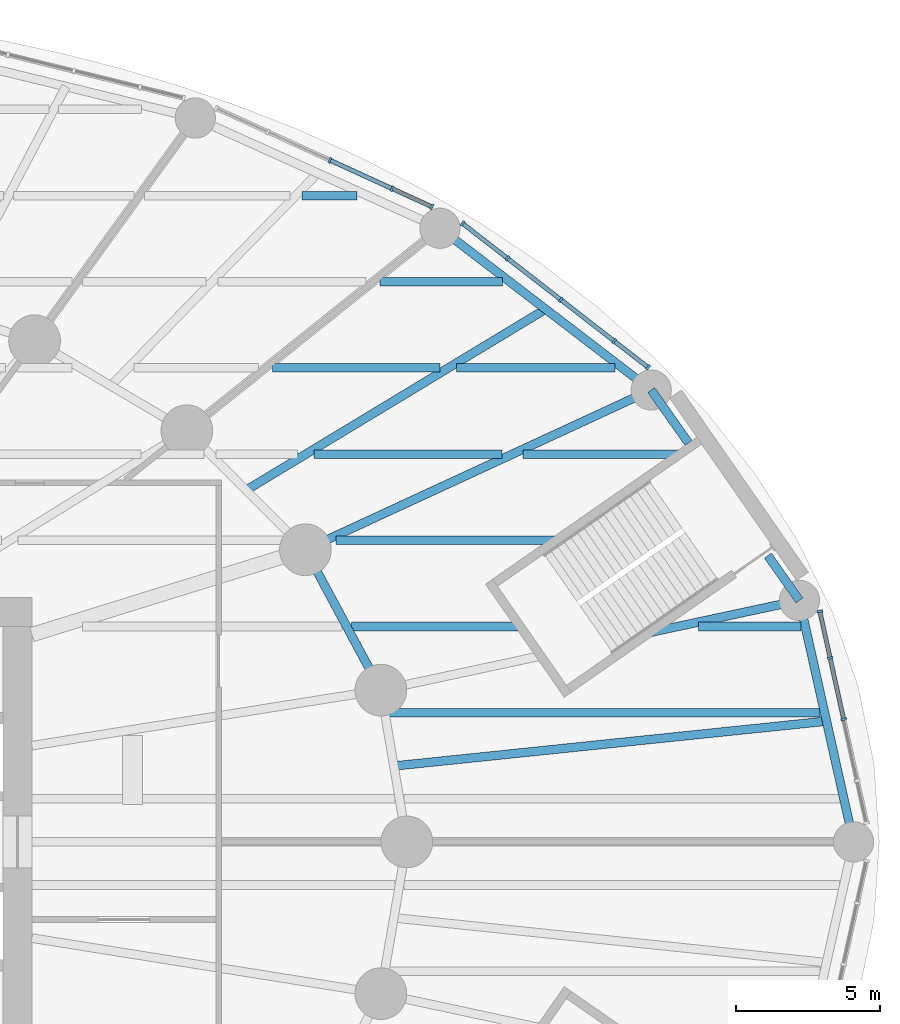
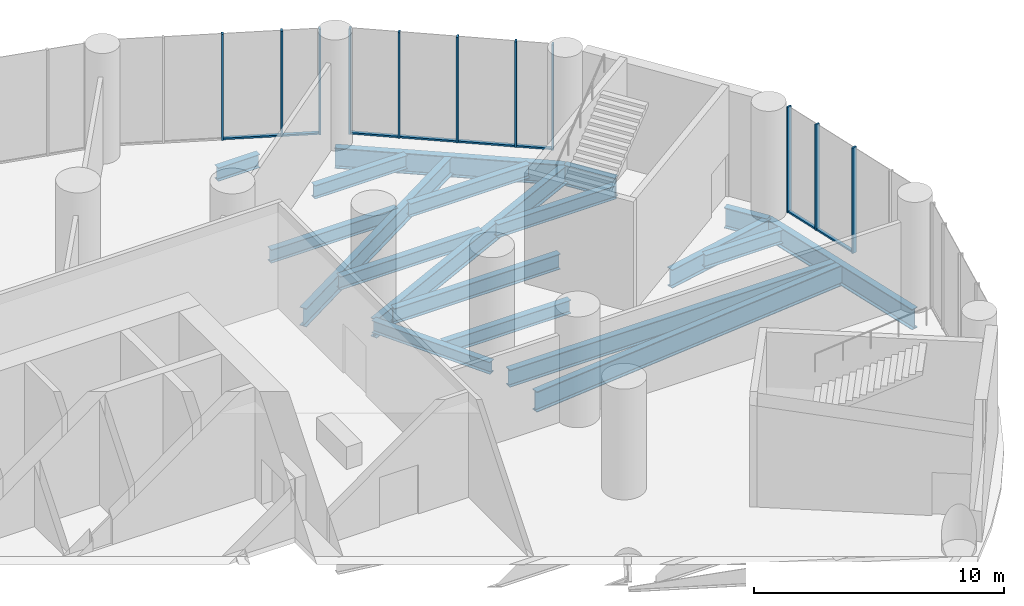
# One storey, part 12 of 23: 19 beams, 19 members, 3 elements without a shape of their own.
"""IFC4 building model written with IfcOpenShell, lengths in metres."""

from ifc_helpers import new_model, si_unit, direction, frame, origin, origin_2d, place, context, subcontext, project, spatial, rectangle, i_section, extrude, material, material_profile, profile_set, type_object, element, aggregate, save


model = new_model("IFC4")

# Units and contexts
model_context = context("Model", 3, precision=1e-05, world=origin(), true_north=direction((0.0, 1.0)))
body_context = subcontext(model_context, "Body", "Model", "MODEL_VIEW")
ifc_project = project(units=[si_unit("LENGTHUNIT", "METRE"), si_unit("AREAUNIT", "SQUARE_METRE"), si_unit("VOLUMEUNIT", "CUBIC_METRE"), si_unit("PLANEANGLEUNIT", "RADIAN"), si_unit("MASSUNIT", "GRAM", prefix="KILO")], contexts=[model_context])

# Site, building, storey
site_placement = place(None, origin())
site = spatial("IfcSite", under=ifc_project, at=site_placement, CompositionType="ELEMENT")
building_placement = place(site_placement, origin())
building = spatial("IfcBuilding", under=site, at=building_placement, Name="Hankou Lantern Tower", CompositionType="ELEMENT")
storey_placement = place(building_placement, frame((0.0, 0.0, 19.199951171875)))
storey = spatial("IfcBuildingStorey", under=building, at=storey_placement, Name="L03", CompositionType="ELEMENT", Elevation=19.199951171875)

# Beam
ifc_material_1 = material(Name="Steel Q355B", Category="steel")
ifc_material_profile_1 = material_profile(ifc_material_1, i_section(OverallWidth=0.300048828125, OverallDepth=0.587890625, WebThickness=0.011962890625, FlangeThickness=0.02001953125, FilletRadius=0.01806640625, at=origin_2d()), Name="HM588x300x12x20")
ifc_profile_set_1 = profile_set([ifc_material_profile_1], Name="Steel Q355B")
beam_type_1 = type_object("IfcBeamType", Name="EB16 RING BEAM HM588x300x12x20", PredefinedType="SPANDREL", material=ifc_profile_set_1)
beam_1_placement = place(storey_placement, frame((24.64697265625, 5.283203125, -0.5439453125), z_axis=(-0.473609096023, 0.880735161194, 0.0), x_axis=(-0.880735161194, -0.473609096023, 0.0)))
element("IfcBeam", 1, at=beam_1_placement, inside=storey, type_object=beam_type_1, Name="Ring beam R02-R03 L03", PredefinedType="SPANDREL", context=body_context, shape_type="SweptSolid", body=[
    extrude(i_section(OverallWidth=0.300048828125, OverallDepth=0.587890625, WebThickness=0.011962890625, FlangeThickness=0.02001953125, FilletRadius=0.01806640625, at=origin_2d()), origin(), (0.0, 0.0, 1.0), 5.548828125),
])

# Curtain wall, members
ifc_material_2 = material(Name="Glass, dark grey tinted laminated", Category="glass")
curtain_wall_type = type_object("IfcCurtainWallType", Name="CWP PODIUM CURTAIN WALL", PredefinedType="USERDEFINED", material=ifc_material_2)
curtain_wall_1_placement = place(storey_placement, origin())
curtain_wall_1 = element("IfcCurtainWall", 2, at=curtain_wall_1_placement, inside=storey, type_object=curtain_wall_type, Name="CWP L03 PC01", ObjectType="PODIUM GLAZING", PredefinedType="USERDEFINED")
ifc_material_3 = material(Name="Aluminium, black anodised", Category="aluminium")
ifc_material_profile_2 = material_profile(ifc_material_3, rectangle(XDim=0.080078125, YDim=0.199951171875, at=origin_2d()), Name="MU2 80X200")
ifc_profile_set_2 = profile_set([ifc_material_profile_2], Name="Aluminium, black anodised")
member_type_1 = type_object("IfcMemberType", Name="MU2 PODIUM MULLION 80X200", PredefinedType="MULLION", material=ifc_profile_set_2)
member_1_placement = place(storey_placement, frame((33.945068359375, 16.520751953125, 0.0), z_axis=(0.0, 0.0, 1.0), x_axis=(-0.790129760642, 0.612939606608, 0.0)))
member_1 = element("IfcMember", 3, at=member_1_placement, type_object=member_type_1, Name="CWP mullion 1", PredefinedType="MULLION", context=body_context, shape_type="SweptSolid", body=[
    extrude(rectangle(XDim=0.080078125, YDim=0.199951171875, at=origin_2d()), origin(), (0.0, 0.0, 1.0), 5.150146484375),
])
member_2_placement = place(storey_placement, frame((32.76806640625, 17.433837890625, 0.0), z_axis=(0.0, 0.0, 1.0), x_axis=(-0.790129760642, 0.612939606608, 0.0)))
member_2 = element("IfcMember", 4, at=member_2_placement, type_object=member_type_1, Name="CWP mullion 2", PredefinedType="MULLION", context=body_context, shape_type="SweptSolid", body=[
    extrude(rectangle(XDim=0.080078125, YDim=0.199951171875, at=origin_2d()), origin(), (0.0, 0.0, 1.0), 5.150146484375),
])
member_3_placement = place(storey_placement, frame((30.91064453125, 18.874755859375, 0.0), z_axis=(0.0, 0.0, 1.0), x_axis=(-0.790129760642, 0.612939606608, 0.0)))
member_3 = element("IfcMember", 5, at=member_3_placement, type_object=member_type_1, Name="CWP mullion 3", PredefinedType="MULLION", context=body_context, shape_type="SweptSolid", body=[
    extrude(rectangle(XDim=0.080078125, YDim=0.199951171875, at=origin_2d()), origin(), (0.0, 0.0, 1.0), 5.150146484375),
])
member_4_placement = place(storey_placement, frame((29.05322265625, 20.315673828125, 0.0), z_axis=(0.0, 0.0, 1.0), x_axis=(-0.790129760642, 0.612939606608, 0.0)))
member_4 = element("IfcMember", 6, at=member_4_placement, type_object=member_type_1, Name="CWP mullion 4", PredefinedType="MULLION", context=body_context, shape_type="SweptSolid", body=[
    extrude(rectangle(XDim=0.080078125, YDim=0.199951171875, at=origin_2d()), origin(), (0.0, 0.0, 1.0), 5.150146484375),
])
member_5_placement = place(storey_placement, frame((27.487060546875, 21.530517578125, 0.0), z_axis=(0.0, 0.0, 1.0), x_axis=(-0.790129760642, 0.612939606608, 0.0)))
member_5 = element("IfcMember", 7, at=member_5_placement, type_object=member_type_1, Name="CWP mullion 5", PredefinedType="MULLION", context=body_context, shape_type="SweptSolid", body=[
    extrude(rectangle(XDim=0.080078125, YDim=0.199951171875, at=origin_2d()), origin(), (0.0, 0.0, 1.0), 5.150146484375),
])

curtain_wall_2_placement = place(storey_placement, origin())
curtain_wall_2 = element("IfcCurtainWall", 8, at=curtain_wall_2_placement, inside=storey, type_object=curtain_wall_type, Name="CWP L03 PC02", ObjectType="PODIUM GLAZING", PredefinedType="USERDEFINED")
member_6_placement = place(storey_placement, frame((26.421630859375, 22.10986328125, 0.0), z_axis=(0.0, 0.0, 1.0), x_axis=(-0.909669790944, 0.41533224224, 0.0)))
member_6 = element("IfcMember", 9, at=member_6_placement, type_object=member_type_1, Name="CWP mullion 1", PredefinedType="MULLION", context=body_context, shape_type="SweptSolid", body=[
    extrude(rectangle(XDim=0.080078125, YDim=0.199951171875, at=origin_2d()), origin(), (0.0, 0.0, 1.0), 5.150146484375),
])
member_7_placement = place(storey_placement, frame((25.034423828125, 22.743408203125, 0.0), z_axis=(0.0, 0.0, 1.0), x_axis=(-0.909669790944, 0.41533224224, 0.0)))
member_7 = element("IfcMember", 10, at=member_7_placement, type_object=member_type_1, Name="CWP mullion 2", PredefinedType="MULLION", context=body_context, shape_type="SweptSolid", body=[
    extrude(rectangle(XDim=0.080078125, YDim=0.199951171875, at=origin_2d()), origin(), (0.0, 0.0, 1.0), 5.150146484375),
])
member_8_placement = place(storey_placement, frame((22.873046875, 23.730224609375, 0.0), z_axis=(0.0, 0.0, 1.0), x_axis=(-0.909669790944, 0.41533224224, 0.0)))
member_8 = element("IfcMember", 11, at=member_8_placement, type_object=member_type_1, Name="CWP mullion 3", PredefinedType="MULLION", context=body_context, shape_type="SweptSolid", body=[
    extrude(rectangle(XDim=0.080078125, YDim=0.199951171875, at=origin_2d()), origin(), (0.0, 0.0, 1.0), 5.150146484375),
])

curtain_wall_3_placement = place(storey_placement, origin())
curtain_wall_3 = element("IfcCurtainWall", 12, at=curtain_wall_3_placement, inside=storey, type_object=curtain_wall_type, Name="CWP L03 PC20", ObjectType="PODIUM GLAZING", PredefinedType="USERDEFINED")
member_9_placement = place(storey_placement, frame((40.7568359375, 4.267333984375, 0.0), z_axis=(0.0, 0.0, 1.0), x_axis=(-0.215821488116, 0.976432837049, 0.0)))
member_9 = element("IfcMember", 13, at=member_9_placement, type_object=member_type_1, Name="CWP mullion 3", PredefinedType="MULLION", context=body_context, shape_type="SweptSolid", body=[
    extrude(rectangle(XDim=0.080078125, YDim=0.199951171875, at=origin_2d()), origin(), (0.0, 0.0, 1.0), 5.150146484375),
])
member_10_placement = place(storey_placement, frame((40.28515625, 6.40087890625, 0.0), z_axis=(0.0, 0.0, 1.0), x_axis=(-0.215821488116, 0.976432837049, 0.0)))
member_10 = element("IfcMember", 14, at=member_10_placement, type_object=member_type_1, Name="CWP mullion 4", PredefinedType="MULLION", context=body_context, shape_type="SweptSolid", body=[
    extrude(rectangle(XDim=0.080078125, YDim=0.199951171875, at=origin_2d()), origin(), (0.0, 0.0, 1.0), 5.150146484375),
])
member_11_placement = place(storey_placement, frame((39.925537109375, 8.028564453125, 0.0), z_axis=(0.0, 0.0, 1.0), x_axis=(-0.215821488116, 0.976432837049, 0.0)))
member_11 = element("IfcMember", 15, at=member_11_placement, type_object=member_type_1, Name="CWP mullion 5", PredefinedType="MULLION", context=body_context, shape_type="SweptSolid", body=[
    extrude(rectangle(XDim=0.080078125, YDim=0.199951171875, at=origin_2d()), origin(), (0.0, 0.0, 1.0), 5.150146484375),
])

# Beams
ifc_material_4 = material(Name="Steel Q355B", Category="steel")
ifc_material_profile_3 = material_profile(ifc_material_4, i_section(OverallWidth=0.300048828125, OverallDepth=0.89990234375, WebThickness=0.01611328125, FlangeThickness=0.028076171875, FilletRadius=0.01806640625, at=origin_2d()), Name="HN900x300x16x28")
ifc_profile_set_3 = profile_set([ifc_material_profile_3], Name="Steel Q355B")
beam_type_2 = type_object("IfcBeamType", Name="PB13 PODIUM RADIAL BEAM HN900x300x16x28", PredefinedType="BEAM", material=ifc_profile_set_3)
beam_2_placement = place(storey_placement, frame((34.01025390625, 7.29052734375, -0.699951171875), z_axis=(0.977788323488, 0.209594834028, 0.0), x_axis=(-0.209594834028, 0.977788323488, 0.0)))
element("IfcBeam", 16, at=beam_2_placement, inside=storey, type_object=beam_type_2, Name="Podium radial beam R02 L03 outer part", PredefinedType="BEAM", context=body_context, shape_type="SweptSolid", body=[
    extrude(i_section(OverallWidth=0.300048828125, OverallDepth=0.89990234375, WebThickness=0.01611328125, FlangeThickness=0.028076171875, FilletRadius=0.01806640625, at=origin_2d()), origin(), (0.0, 0.0, 1.0), 5.32568359375),
])
beam_3_placement = place(storey_placement, frame((22.01904296875, 10.170166015625, -0.699951171875), z_axis=(0.907840792808, 0.419315030633, 0.0), x_axis=(-0.419315030633, 0.907840792808, 0.0)))
element("IfcBeam", 17, at=beam_3_placement, inside=storey, type_object=beam_type_2, Name="Podium radial beam R03 L03", PredefinedType="BEAM", context=body_context, shape_type="SweptSolid", body=[
    extrude(i_section(OverallWidth=0.300048828125, OverallDepth=0.89990234375, WebThickness=0.01611328125, FlangeThickness=0.028076171875, FilletRadius=0.01806640625, at=origin_2d()), origin(), (0.0, 0.0, 1.0), 13.259765625),
])
ifc_material_5 = material(Name="Steel Q355B", Category="steel")
ifc_material_profile_4 = material_profile(ifc_material_5, i_section(OverallWidth=0.300048828125, OverallDepth=1.0, WebThickness=0.01904296875, FlangeThickness=0.035888671875, FilletRadius=0.01806640625, at=origin_2d()), Name="HN1000x300x19x36")
ifc_profile_set_4 = profile_set([ifc_material_profile_4], Name="Steel Q355B")
beam_type_3 = type_object("IfcBeamType", Name="PR22 PODIUM RING BEAM HN1000x300x19x36", PredefinedType="BEAM", material=ifc_profile_set_4)
beam_4_placement = place(storey_placement, frame((41.10009765625, 0.0, -0.75), z_axis=(-0.218523498172, 0.975831686689, 0.0), x_axis=(-0.975831686689, -0.218523498172, 0.0)))
element("IfcBeam", 18, at=beam_4_placement, inside=storey, type_object=beam_type_3, Name="Podium ring beam R01-R02 L03", PredefinedType="BEAM", context=body_context, shape_type="SweptSolid", body=[
    extrude(i_section(OverallWidth=0.300048828125, OverallDepth=1.0, WebThickness=0.01904296875, FlangeThickness=0.035888671875, FilletRadius=0.01806640625, at=origin_2d()), origin(), (0.0, 0.0, 1.0), 8.614990234375),
])
beam_5_placement = place(storey_placement, frame((39.217529296875, 8.40673828125, -0.75), z_axis=(-0.576019631526, 0.817435859317, 0.0), x_axis=(-0.817435859317, -0.576019631526, 0.0)))
element("IfcBeam", 19, at=beam_5_placement, inside=storey, type_object=beam_type_3, Name="Podium ring beam R02-R03 L03 west part", PredefinedType="BEAM", context=body_context, shape_type="SweptSolid", body=[
    extrude(i_section(OverallWidth=0.300048828125, OverallDepth=1.0, WebThickness=0.01904296875, FlangeThickness=0.035888671875, FilletRadius=0.01806640625, at=origin_2d()), origin(), (0.0, 0.0, 1.0), 1.9072265625),
])
beam_6_placement = place(storey_placement, frame((35.35400390625, 13.889404296875, -0.75), z_axis=(-0.576006222853, 0.817445307794, 0.0), x_axis=(-0.817445307794, -0.576006222853, 0.0)))
element("IfcBeam", 20, at=beam_6_placement, inside=storey, type_object=beam_type_3, Name="Podium ring beam R02-R03 L03 east part", PredefinedType="BEAM", context=body_context, shape_type="SweptSolid", body=[
    extrude(i_section(OverallWidth=0.300048828125, OverallDepth=1.0, WebThickness=0.01904296875, FlangeThickness=0.035888671875, FilletRadius=0.01806640625, at=origin_2d()), origin(), (0.0, 0.0, 1.0), 2.251953125),
])
beam_7_placement = place(storey_placement, frame((34.056884765625, 15.730224609375, -0.75), z_axis=(-0.793985875103, 0.607936205647, 0.0), x_axis=(-0.607936205647, -0.793985875103, 0.0)))
element("IfcBeam", 21, at=beam_7_placement, inside=storey, type_object=beam_type_3, Name="Podium ring beam R03-R04 L03", PredefinedType="BEAM", context=body_context, shape_type="SweptSolid", body=[
    extrude(i_section(OverallWidth=0.300048828125, OverallDepth=1.0, WebThickness=0.01904296875, FlangeThickness=0.035888671875, FilletRadius=0.01806640625, at=origin_2d()), origin(), (0.0, 0.0, 1.0), 9.262939453125),
])
ifc_material_6 = material(Name="Steel Q355B", Category="steel")
ifc_material_profile_5 = material_profile(ifc_material_6, i_section(OverallWidth=0.300048828125, OverallDepth=0.89990234375, WebThickness=0.01611328125, FlangeThickness=0.028076171875, FilletRadius=0.01806640625, at=origin_2d()), Name="HN900x300x16x28")
ifc_profile_set_5 = profile_set([ifc_material_profile_5], Name="Steel Q355B")
beam_type_4 = type_object("IfcBeamType", Name="PS13 PODIUM SECONDARY BEAM HN900x300x16x28", PredefinedType="JOIST", material=ifc_profile_set_5)
beam_8_placement = place(storey_placement, frame((19.955322265625, 12.24169921875, -0.699951171875), z_axis=(0.855685755165, 0.517495785884, 0.0), x_axis=(-0.517495785884, 0.855685755165, 0.0)))
element("IfcBeam", 22, at=beam_8_placement, inside=storey, type_object=beam_type_4, Name="Podium secondary beam bay R03 L03", PredefinedType="JOIST", context=body_context, shape_type="SweptSolid", body=[
    extrude(i_section(OverallWidth=0.300048828125, OverallDepth=0.89990234375, WebThickness=0.01611328125, FlangeThickness=0.028076171875, FilletRadius=0.01806640625, at=origin_2d()), origin(), (0.0, 0.0, 1.0), 12.18212890625),
])
ifc_material_7 = material(Name="Steel Q355B", Category="steel")
ifc_material_profile_6 = material_profile(ifc_material_7, i_section(OverallWidth=0.300048828125, OverallDepth=1.0, WebThickness=0.01904296875, FlangeThickness=0.035888671875, FilletRadius=0.01806640625, at=origin_2d()), Name="HN1000x300x19x36")
ifc_profile_set_6 = profile_set([ifc_material_profile_6], Name="Steel Q355B")
beam_type_5 = type_object("IfcBeamType", Name="PS22 PODIUM SECONDARY BEAM HN1000x300x19x36", PredefinedType="JOIST", material=ifc_profile_set_6)
beam_9_placement = place(storey_placement, frame((25.098388671875, 2.6416015625, -0.75), z_axis=(0.994666039581, 0.103147805132, 0.0), x_axis=(-0.103147805132, 0.994666039581, 0.0)))
element("IfcBeam", 23, at=beam_9_placement, inside=storey, type_object=beam_type_5, Name="Podium secondary beam bay R01 L03", PredefinedType="JOIST", context=body_context, shape_type="SweptSolid", body=[
    extrude(i_section(OverallWidth=0.300048828125, OverallDepth=1.0, WebThickness=0.01904296875, FlangeThickness=0.035888671875, FilletRadius=0.01806640625, at=origin_2d()), origin(), (0.0, 0.0, 1.0), 15.14111328125),
])
ifc_material_8 = material(Name="Steel Q355B", Category="steel")
ifc_material_profile_7 = material_profile(ifc_material_8, i_section(OverallWidth=0.300048828125, OverallDepth=0.75, WebThickness=0.012939453125, FlangeThickness=0.02392578125, FilletRadius=0.01806640625, at=origin_2d()), Name="HN750x300x13x24")
ifc_profile_set_7 = profile_set([ifc_material_profile_7], Name="Steel Q355B")
beam_type_6 = type_object("IfcBeamType", Name="SB10 SECONDARY BEAM HN750x300x13x24", PredefinedType="JOIST", material=ifc_profile_set_7)
beam_10_placement = place(storey_placement, frame((23.0908203125, 10.5, -0.625), z_axis=(1.0, 0.0, 0.0), x_axis=(0.0, 1.0, 0.0)))
element("IfcBeam", 24, at=beam_10_placement, inside=storey, type_object=beam_type_6, Name="Floor joist J110 L03", PredefinedType="JOIST", context=body_context, shape_type="SweptSolid", body=[
    extrude(i_section(OverallWidth=0.300048828125, OverallDepth=0.75, WebThickness=0.012939453125, FlangeThickness=0.02392578125, FilletRadius=0.01806640625, at=origin_2d()), origin(), (0.0, 0.0, 1.0), 7.653076171875),
])
ifc_material_9 = material(Name="Steel Q355B", Category="steel")
ifc_material_profile_8 = material_profile(ifc_material_9, i_section(OverallWidth=0.300048828125, OverallDepth=0.85009765625, WebThickness=0.01611328125, FlangeThickness=0.027099609375, FilletRadius=0.01806640625, at=origin_2d()), Name="HN850x300x16x27")
ifc_profile_set_8 = profile_set([ifc_material_profile_8], Name="Steel Q355B")
beam_type_7 = type_object("IfcBeamType", Name="SB12 SECONDARY BEAM HN850x300x16x27", PredefinedType="JOIST", material=ifc_profile_set_8)
beam_11_placement = place(storey_placement, frame((24.93310546875, 4.5, -0.675048828125), z_axis=(1.0, 0.0, 0.0), x_axis=(0.0, 1.0, 0.0)))
element("IfcBeam", 25, at=beam_11_placement, inside=storey, type_object=beam_type_7, Name="Floor joist J094 L03", PredefinedType="JOIST", context=body_context, shape_type="SweptSolid", body=[
    extrude(i_section(OverallWidth=0.300048828125, OverallDepth=0.85009765625, WebThickness=0.01611328125, FlangeThickness=0.027099609375, FilletRadius=0.01806640625, at=origin_2d()), origin(), (0.0, 0.0, 1.0), 15.005615234375),
])
ifc_material_10 = material(Name="Steel Q355B", Category="steel")
ifc_material_profile_9 = material_profile(ifc_material_10, i_section(OverallWidth=0.300048828125, OverallDepth=0.64990234375, WebThickness=0.010986328125, FlangeThickness=0.01708984375, FilletRadius=0.01806640625, at=origin_2d()), Name="HN650x300x11x17")
ifc_profile_set_9 = profile_set([ifc_material_profile_9], Name="Steel Q355B")
beam_type_8 = type_object("IfcBeamType", Name="SB8 SECONDARY BEAM HN650x300x11x17", PredefinedType="JOIST", material=ifc_profile_set_9)
beam_12_placement = place(storey_placement, frame((23.625244140625, 7.5, -0.574951171875), z_axis=(1.0, 0.0, 0.0), x_axis=(0.0, 1.0, 0.0)))
element("IfcBeam", 26, at=beam_12_placement, inside=storey, type_object=beam_type_8, Name="Floor joist J099 L03", PredefinedType="JOIST", context=body_context, shape_type="SweptSolid", body=[
    extrude(i_section(OverallWidth=0.300048828125, OverallDepth=0.64990234375, WebThickness=0.010986328125, FlangeThickness=0.01708984375, FilletRadius=0.01806640625, at=origin_2d()), origin(), (0.0, 0.0, 1.0), 5.87158203125),
])
beam_13_placement = place(storey_placement, frame((35.70361328125, 7.5, -0.574951171875), z_axis=(1.0, 0.0, 0.0), x_axis=(0.0, 1.0, 0.0)))
element("IfcBeam", 27, at=beam_13_placement, inside=storey, type_object=beam_type_8, Name="Floor joist J100 L03", PredefinedType="JOIST", context=body_context, shape_type="SweptSolid", body=[
    extrude(i_section(OverallWidth=0.300048828125, OverallDepth=0.64990234375, WebThickness=0.010986328125, FlangeThickness=0.01708984375, FilletRadius=0.01806640625, at=origin_2d()), origin(), (0.0, 0.0, 1.0), 3.563232421875),
])
beam_14_placement = place(storey_placement, frame((22.32568359375, 13.5, -0.574951171875), z_axis=(1.0, 0.0, 0.0), x_axis=(0.0, 1.0, 0.0)))
element("IfcBeam", 28, at=beam_14_placement, inside=storey, type_object=beam_type_8, Name="Floor joist J123 L03", PredefinedType="JOIST", context=body_context, shape_type="SweptSolid", body=[
    extrude(i_section(OverallWidth=0.300048828125, OverallDepth=0.64990234375, WebThickness=0.010986328125, FlangeThickness=0.01708984375, FilletRadius=0.01806640625, at=origin_2d()), origin(), (0.0, 0.0, 1.0), 6.544921875),
])
beam_15_placement = place(storey_placement, frame((29.586181640625, 13.5, -0.574951171875), z_axis=(1.0, 0.0, 0.0), x_axis=(0.0, 1.0, 0.0)))
element("IfcBeam", 29, at=beam_15_placement, inside=storey, type_object=beam_type_8, Name="Floor joist J124 L03", PredefinedType="JOIST", context=body_context, shape_type="SweptSolid", body=[
    extrude(i_section(OverallWidth=0.300048828125, OverallDepth=0.64990234375, WebThickness=0.010986328125, FlangeThickness=0.01708984375, FilletRadius=0.01806640625, at=origin_2d()), origin(), (0.0, 0.0, 1.0), 5.470703125),
])
beam_16_placement = place(storey_placement, frame((20.865234375, 16.5, -0.574951171875), z_axis=(1.0, 0.0, 0.0), x_axis=(0.0, 1.0, 0.0)))
element("IfcBeam", 30, at=beam_16_placement, inside=storey, type_object=beam_type_8, Name="Floor joist J135 L03", PredefinedType="JOIST", context=body_context, shape_type="SweptSolid", body=[
    extrude(i_section(OverallWidth=0.300048828125, OverallDepth=0.64990234375, WebThickness=0.010986328125, FlangeThickness=0.01708984375, FilletRadius=0.01806640625, at=origin_2d()), origin(), (0.0, 0.0, 1.0), 5.84130859375),
])
beam_17_placement = place(storey_placement, frame((27.286376953125, 16.5, -0.574951171875), z_axis=(1.0, 0.0, 0.0), x_axis=(0.0, 1.0, 0.0)))
element("IfcBeam", 31, at=beam_17_placement, inside=storey, type_object=beam_type_8, Name="Floor joist J136 L03", PredefinedType="JOIST", context=body_context, shape_type="SweptSolid", body=[
    extrude(i_section(OverallWidth=0.300048828125, OverallDepth=0.64990234375, WebThickness=0.010986328125, FlangeThickness=0.01708984375, FilletRadius=0.01806640625, at=origin_2d()), origin(), (0.0, 0.0, 1.0), 5.518310546875),
])
beam_18_placement = place(storey_placement, frame((24.615234375, 19.5, -0.574951171875), z_axis=(1.0, 0.0, 0.0), x_axis=(0.0, 1.0, 0.0)))
element("IfcBeam", 32, at=beam_18_placement, inside=storey, type_object=beam_type_8, Name="Floor joist J148 L03", PredefinedType="JOIST", context=body_context, shape_type="SweptSolid", body=[
    extrude(i_section(OverallWidth=0.300048828125, OverallDepth=0.64990234375, WebThickness=0.010986328125, FlangeThickness=0.01708984375, FilletRadius=0.01806640625, at=origin_2d()), origin(), (0.0, 0.0, 1.0), 4.271484375),
])
beam_19_placement = place(storey_placement, frame((21.893798828125, 22.5, -0.574951171875), z_axis=(1.0, 0.0, 0.0), x_axis=(0.0, 1.0, 0.0)))
element("IfcBeam", 33, at=beam_19_placement, inside=storey, type_object=beam_type_8, Name="Floor joist J160 L03", PredefinedType="JOIST", context=body_context, shape_type="SweptSolid", body=[
    extrude(i_section(OverallWidth=0.300048828125, OverallDepth=0.64990234375, WebThickness=0.010986328125, FlangeThickness=0.01708984375, FilletRadius=0.01806640625, at=origin_2d()), origin(), (0.0, 0.0, 1.0), 1.917236328125),
])

# Member
ifc_material_11 = material(Name="Aluminium, black anodised", Category="aluminium")
ifc_material_profile_10 = material_profile(ifc_material_11, rectangle(XDim=0.14990234375, YDim=0.080078125, at=origin_2d()), Name="TR2 150X80")
ifc_profile_set_10 = profile_set([ifc_material_profile_10], Name="Aluminium, black anodised")
member_type_2 = type_object("IfcMemberType", Name="TR2 PODIUM TRANSOM 150X80", PredefinedType="USERDEFINED", material=ifc_profile_set_10)
member_12_placement = place(storey_placement, frame((33.913330078125, 16.54541015625, 0.0400390625), z_axis=(-0.790144462034, 0.612920654829, 0.0), x_axis=(-0.612920654829, -0.790144462034, 0.0)))
member_12 = element("IfcMember", 34, at=member_12_placement, type_object=member_type_2, Name="CWP transom 1", ObjectType="TRANSOM", PredefinedType="USERDEFINED", context=body_context, shape_type="SweptSolid", body=[
    extrude(rectangle(XDim=0.14990234375, YDim=0.080078125, at=origin_2d()), origin(), (0.0, 0.0, 1.0), 1.4091796875),
])

member_13_placement = place(storey_placement, frame((32.736572265625, 17.458251953125, 0.0400390625), z_axis=(-0.79016773701, 0.612890648802, 0.0), x_axis=(-0.612890648802, -0.79016773701, 0.0)))
member_13 = element("IfcMember", 35, at=member_13_placement, type_object=member_type_2, Name="CWP transom 2", ObjectType="TRANSOM", PredefinedType="USERDEFINED", context=body_context, shape_type="SweptSolid", body=[
    extrude(rectangle(XDim=0.14990234375, YDim=0.080078125, at=origin_2d()), origin(), (0.0, 0.0, 1.0), 2.27099609375),
])

member_14_placement = place(storey_placement, frame((30.879150390625, 18.899169921875, 0.0400390625), z_axis=(-0.79016773701, 0.612890648802, 0.0), x_axis=(-0.612890648802, -0.79016773701, 0.0)))
member_14 = element("IfcMember", 36, at=member_14_placement, type_object=member_type_2, Name="CWP transom 3", ObjectType="TRANSOM", PredefinedType="USERDEFINED", context=body_context, shape_type="SweptSolid", body=[
    extrude(rectangle(XDim=0.14990234375, YDim=0.080078125, at=origin_2d()), origin(), (0.0, 0.0, 1.0), 2.27099609375),
])

member_15_placement = place(storey_placement, frame((29.021484375, 20.340087890625, 0.0400390625), z_axis=(-0.790098015443, 0.612980526601, 0.0), x_axis=(-0.612980526601, -0.790098015443, 0.0)))
member_15 = element("IfcMember", 37, at=member_15_placement, type_object=member_type_2, Name="CWP transom 4", ObjectType="TRANSOM", PredefinedType="USERDEFINED", context=body_context, shape_type="SweptSolid", body=[
    extrude(rectangle(XDim=0.14990234375, YDim=0.080078125, at=origin_2d()), origin(), (0.0, 0.0, 1.0), 1.902099609375),
])

aggregate(curtain_wall_1, [member_1, member_2, member_3, member_4, member_5, member_12, member_13, member_14, member_15])

member_16_placement = place(storey_placement, frame((26.38525390625, 22.126708984375, 0.0400390625), z_axis=(-0.909682453266, 0.415304507825, 0.0), x_axis=(-0.415304507825, -0.909682453266, 0.0)))
member_16 = element("IfcMember", 38, at=member_16_placement, type_object=member_type_2, Name="CWP transom 1", ObjectType="TRANSOM", PredefinedType="USERDEFINED", context=body_context, shape_type="SweptSolid", body=[
    extrude(rectangle(XDim=0.14990234375, YDim=0.080078125, at=origin_2d()), origin(), (0.0, 0.0, 1.0), 1.445068359375),
])

member_17_placement = place(storey_placement, frame((24.998046875, 22.760009765625, 0.0400390625), z_axis=(-0.909669664149, 0.415332519949, 0.0), x_axis=(-0.415332519949, -0.909669664149, 0.0)))
member_17 = element("IfcMember", 39, at=member_17_placement, type_object=member_type_2, Name="CWP transom 2", ObjectType="TRANSOM", PredefinedType="USERDEFINED", context=body_context, shape_type="SweptSolid", body=[
    extrude(rectangle(XDim=0.14990234375, YDim=0.080078125, at=origin_2d()), origin(), (0.0, 0.0, 1.0), 2.296142578125),
])

aggregate(curtain_wall_2, [member_6, member_7, member_8, member_16, member_17])

member_18_placement = place(storey_placement, frame((40.748291015625, 4.30615234375, 0.0400390625), z_axis=(-0.215812948044, 0.976434724627, 0.0), x_axis=(-0.976434724627, -0.215812948044, 0.0)))
member_18 = element("IfcMember", 40, at=member_18_placement, type_object=member_type_2, Name="CWP transom 3", ObjectType="TRANSOM", PredefinedType="USERDEFINED", context=body_context, shape_type="SweptSolid", body=[
    extrude(rectangle(XDim=0.14990234375, YDim=0.080078125, at=origin_2d()), origin(), (0.0, 0.0, 1.0), 2.105224609375),
])

member_19_placement = place(storey_placement, frame((40.276611328125, 6.43994140625, 0.0400390625), z_axis=(-0.215838955929, 0.976428975965, 0.0), x_axis=(-0.976428975965, -0.215838955929, 0.0)))
member_19 = element("IfcMember", 41, at=member_19_placement, type_object=member_type_2, Name="CWP transom 4", ObjectType="TRANSOM", PredefinedType="USERDEFINED", context=body_context, shape_type="SweptSolid", body=[
    extrude(rectangle(XDim=0.14990234375, YDim=0.080078125, at=origin_2d()), origin(), (0.0, 0.0, 1.0), 1.5869140625),
])

aggregate(curtain_wall_3, [member_9, member_10, member_11, member_18, member_19])

save(model, "model.ifc")
